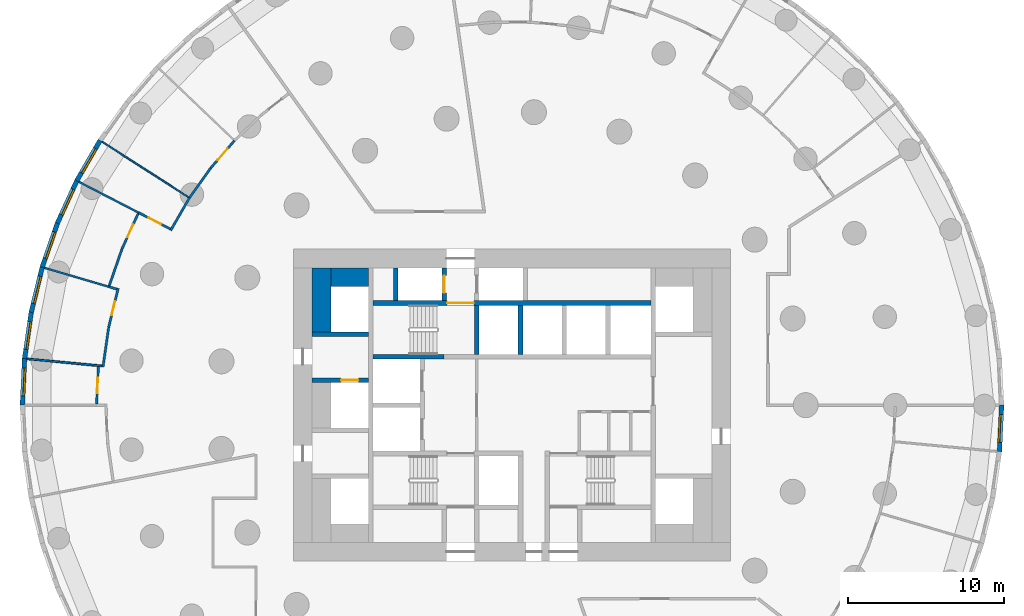
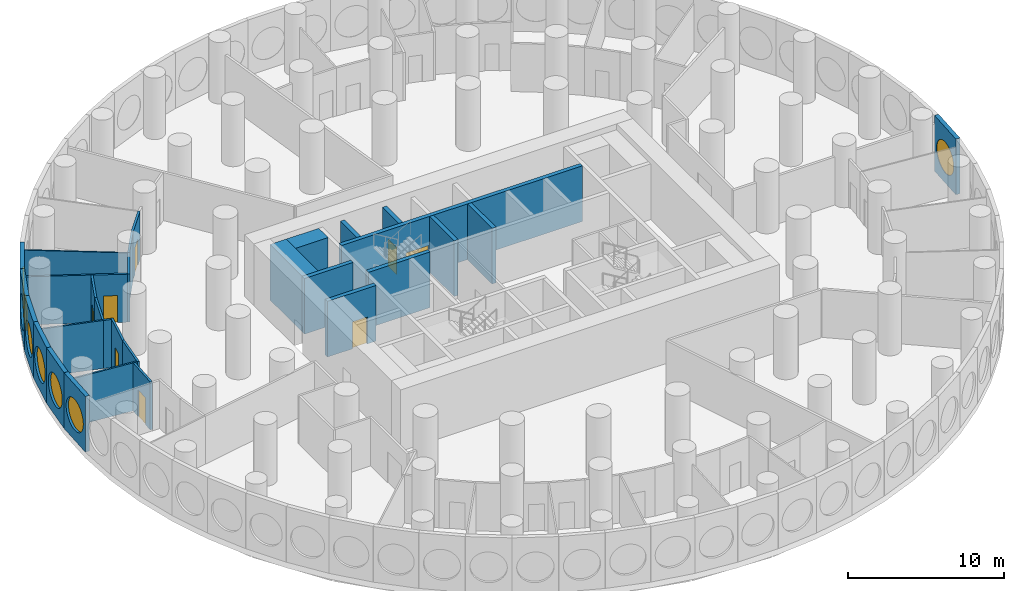
# One storey, part 6 of 11: 31 walls, 8 doors, 7 windows, 15 openings.
"""IFC4 building model written with IfcOpenShell, lengths in metres."""

from ifc_helpers import new_model, si_unit, direction, frame, frame_2d, origin, origin_2d, place, context, subcontext, project, spatial, rectangle, circle, extrude, material, layer, layer_set, type_object, element, fill, save


model = new_model("IFC4")

# Units and contexts
model_context = context("Model", 3, precision=1e-05, world=origin(), true_north=direction((0.0, 1.0)))
body_context = subcontext(model_context, "Body", "Model", "MODEL_VIEW")
ifc_project = project(units=[si_unit("LENGTHUNIT", "METRE"), si_unit("AREAUNIT", "SQUARE_METRE"), si_unit("VOLUMEUNIT", "CUBIC_METRE"), si_unit("PLANEANGLEUNIT", "RADIAN"), si_unit("MASSUNIT", "GRAM", prefix="KILO")], contexts=[model_context])

# Site, building, storey
site_placement = place(None, origin())
site = spatial("IfcSite", under=ifc_project, at=site_placement, CompositionType="ELEMENT")
building_placement = place(site_placement, origin())
building = spatial("IfcBuilding", under=site, at=building_placement, Name="Tracery Tower", CompositionType="ELEMENT")
storey_placement = place(building_placement, frame((0.0, 0.0, 9.0)))
storey = spatial("IfcBuildingStorey", under=building, at=storey_placement, Name="L01", CompositionType="ELEMENT", Elevation=9.0)

# Walls
ifc_material_1 = material(Name="Concrete C60/75", Category="concrete")
ifc_layer_1 = layer(ifc_material_1, 1.199951171875)
ifc_layer_set_1 = layer_set([ifc_layer_1], Name="Core strip wall 1200 C60")
wall_type_1 = type_object("IfcWallType", Name="Core strip wall 1200 C60", PredefinedType="SOLIDWALL", material=ifc_layer_set_1)
wall_1_placement = place(storey_placement, frame((-12.199951171875, 4.699951171875, 0.0), z_axis=(0.0, 0.0, 1.0), x_axis=(0.0, 1.0, 0.0)))
element("IfcWall", 1, at=wall_1_placement, inside=storey, type_object=wall_type_1, Name="L01 wing strip -1 4.55", PredefinedType="SOLIDWALL", context=body_context, shape_type="SweptSolid", body=[
    extrude(rectangle(XDim=4.10009765625, YDim=1.199951171875, at=frame_2d((2.050048828125, 0.0))), origin(), (0.0, 0.0, 1.0), 4.35009765625),
])
wall_2_placement = place(storey_placement, frame((-11.60009765625, 8.199951171875, 0.0), z_axis=(0.0, 0.0, 1.0), x_axis=(1.0, 0.0, 0.0)))
element("IfcWall", 2, at=wall_2_placement, inside=storey, type_object=wall_type_1, Name="L01 wing corner -1 +8.2", PredefinedType="SOLIDWALL", context=body_context, shape_type="SweptSolid", body=[
    extrude(rectangle(XDim=2.400146484375, YDim=1.199951171875, at=frame_2d((1.2001953125, 0.0))), origin(), (0.0, 0.0, 1.0), 4.35009765625),
])

# Wall, opening, door
ifc_material_2 = material(Name="Plasterboard on steel studs", Category="steel")
ifc_layer_2 = layer(ifc_material_2, 0.14990234375)
ifc_layer_set_2 = layer_set([ifc_layer_2], Name="Corridor partition 150")
wall_type_2 = type_object("IfcWallType", Name="Corridor partition 150", PredefinedType="PARTITIONING", material=ifc_layer_set_2)
wall_3_placement = place(storey_placement, frame((-26.615478515625, 0.074951171875, 0.0), z_axis=(0.0, 0.0, 1.0), x_axis=(0.047526384729, 0.998869982908, 0.0)))
wall_3 = element("IfcWall", 3, at=wall_3_placement, inside=storey, type_object=wall_type_2, Name="Corridor partition 150", PredefinedType="PARTITIONING", context=body_context, shape_type="SweptSolid", body=[
    extrude(rectangle(XDim=2.393798828125, YDim=0.14990234375, at=frame_2d((1.19677734375, 0.0))), origin(), (0.0, 0.0, 1.0), 3.75),
])
opening_1_placement = place(wall_3_placement, frame((0.69140625, 0.0, 0.0)))
opening_1 = element("IfcOpeningElement", 4, at=opening_1_placement, cuts=wall_3, Name="Opening SB-L01-15", PredefinedType="OPENING", context=body_context, shape_type="SweptSolid", body=[
    extrude(rectangle(XDim=1.0, YDim=2.10009765625, at=frame_2d((0.5, 1.050048828125))), frame((0.0, 0.074951171875, 0.0), z_axis=(0.0, -1.0, 0.0), x_axis=(1.0, 0.0, 0.0)), (0.0, 0.0, 1.0), 0.14990234375),
])
ifc_material_3 = material(Name="Timber door leaf", Category="wood")
door_type_1 = type_object("IfcDoorType", Name="Accessible toilet door 1000", OperationType="NOTDEFINED", PredefinedType="DOOR", material=ifc_material_3)
door_1_placement = place(opening_1_placement, origin())
door_1 = element("IfcDoor", 5, at=door_1_placement, inside=storey, type_object=door_type_1, Name="Accessible toilet door 1000", OperationType="SINGLE_SWING_RIGHT", OverallHeight=2.10009765625, OverallWidth=1.0, PredefinedType="DOOR", context=body_context, shape_type="SweptSolid", body=[
    extrude(rectangle(XDim=1.0, YDim=2.10009765625, at=frame_2d((0.5, 1.050048828125))), frame((0.0, 0.02490234375, 0.0), z_axis=(0.0, -1.0, 0.0), x_axis=(1.0, 0.0, 0.0)), (0.0, 0.0, 1.0), 0.050048828125),
])
fill(opening_1, door_1)

# Walls
wall_4_placement = place(storey_placement, frame((-25.843017578125, 4.980712890625, 0.0), z_axis=(0.0, 0.0, 1.0), x_axis=(-0.142380000947, -0.989812070714, 0.0)))
element("IfcWall", 6, at=wall_4_placement, inside=storey, type_object=wall_type_2, Name="Corridor partition 150", PredefinedType="PARTITIONING", context=body_context, shape_type="SweptSolid", body=[
    extrude(rectangle(XDim=2.56689453125, YDim=0.14990234375, at=frame_2d((1.283447265625, 0.0))), origin(), (0.0, 0.0, 1.0), 3.75),
])
wall_5_placement = place(storey_placement, frame((-25.8291015625, 7.583984375, 0.0), z_axis=(0.0, 0.0, 1.0), x_axis=(0.959446805351, -0.281889743876, 0.0)))
element("IfcWall", 7, at=wall_5_placement, inside=storey, type_object=wall_type_2, Name="Corridor partition 150", PredefinedType="PARTITIONING", context=body_context, shape_type="SweptSolid", body=[
    extrude(rectangle(XDim=0.525634765625, YDim=0.14990234375, at=frame_2d((0.2626953125, 0.0))), origin(), (0.0, 0.0, 1.0), 3.75),
])

# Wall, opening, door
wall_6_placement = place(storey_placement, frame((-25.843017578125, 4.980712890625, 0.0), z_axis=(0.0, 0.0, 1.0), x_axis=(0.235738160544, 0.97181660804, 0.0)))
wall_6 = element("IfcWall", 8, at=wall_6_placement, inside=storey, type_object=wall_type_2, Name="Corridor partition 150", PredefinedType="PARTITIONING", context=body_context, shape_type="SweptSolid", body=[
    extrude(rectangle(XDim=2.579833984375, YDim=0.14990234375, at=frame_2d((1.2900390625, 0.0))), origin(), (0.0, 0.0, 1.0), 3.75),
])
opening_2_placement = place(wall_6_placement, frame((0.80224609375, 0.0, 0.0)))
opening_2 = element("IfcOpeningElement", 9, at=opening_2_placement, cuts=wall_6, Name="Opening SB-L01-14", PredefinedType="OPENING", context=body_context, shape_type="SweptSolid", body=[
    extrude(rectangle(XDim=0.89990234375, YDim=2.10009765625, at=frame_2d((0.449951171875, 1.050048828125))), frame((0.0, 0.074951171875, 0.0), z_axis=(0.0, -1.0, 0.0), x_axis=(1.0, 0.0, 0.0)), (0.0, 0.0, 1.0), 0.14990234375),
])
ifc_material_4 = material(Name="Timber door leaf", Category="wood")
door_type_2 = type_object("IfcDoorType", Name="Toilet door 900", OperationType="NOTDEFINED", PredefinedType="DOOR", material=ifc_material_4)
door_2_placement = place(opening_2_placement, origin())
door_2 = element("IfcDoor", 10, at=door_2_placement, inside=storey, type_object=door_type_2, Name="Toilet door 900", OperationType="SINGLE_SWING_RIGHT", OverallHeight=2.10009765625, OverallWidth=0.89990234375, PredefinedType="DOOR", context=body_context, shape_type="SweptSolid", body=[
    extrude(rectangle(XDim=0.89990234375, YDim=2.10009765625, at=frame_2d((0.449951171875, 1.050048828125))), frame((0.0, 0.02490234375, 0.0), z_axis=(0.0, -1.0, 0.0), x_axis=(1.0, 0.0, 0.0)), (0.0, 0.0, 1.0), 0.050048828125),
])
fill(opening_2, door_2)

# Wall
wall_7_placement = place(storey_placement, frame((-24.9912109375, 10.0048828125, 0.0), z_axis=(0.0, 0.0, 1.0), x_axis=(-0.327046491478, -0.945008249917, 0.0)))
element("IfcWall", 11, at=wall_7_placement, inside=storey, type_object=wall_type_2, Name="Corridor partition 150", PredefinedType="PARTITIONING", context=body_context, shape_type="SweptSolid", body=[
    extrude(rectangle(XDim=2.486572265625, YDim=0.14990234375, at=frame_2d((1.2431640625, 0.0))), origin(), (0.0, 0.0, 1.0), 3.75),
])

# Wall, opening, door
wall_8_placement = place(storey_placement, frame((-24.9912109375, 10.0048828125, 0.0), z_axis=(0.0, 0.0, 1.0), x_axis=(0.415481321012, 0.90960171058, 0.0)))
wall_8 = element("IfcWall", 12, at=wall_8_placement, inside=storey, type_object=wall_type_2, Name="Corridor partition 150", PredefinedType="PARTITIONING", context=body_context, shape_type="SweptSolid", body=[
    extrude(rectangle(XDim=2.48681640625, YDim=0.14990234375, at=frame_2d((1.243408203125, 0.0))), origin(), (0.0, 0.0, 1.0), 3.75),
])
opening_3_placement = place(wall_8_placement, frame((0.830810546875, 0.0, 0.0)))
opening_3 = element("IfcOpeningElement", 13, at=opening_3_placement, cuts=wall_8, Name="Opening SB-L01-13", PredefinedType="OPENING", context=body_context, shape_type="SweptSolid", body=[
    extrude(rectangle(XDim=0.89990234375, YDim=2.10009765625, at=frame_2d((0.449951171875, 1.050048828125))), frame((0.0, 0.074951171875, 0.0), z_axis=(0.0, -1.0, 0.0), x_axis=(1.0, 0.0, 0.0)), (0.0, 0.0, 1.0), 0.14990234375),
])
door_3_placement = place(opening_3_placement, origin())
door_3 = element("IfcDoor", 14, at=door_3_placement, inside=storey, type_object=door_type_2, Name="Toilet door 900", OperationType="SINGLE_SWING_RIGHT", OverallHeight=2.10009765625, OverallWidth=0.89990234375, PredefinedType="DOOR", context=body_context, shape_type="SweptSolid", body=[
    extrude(rectangle(XDim=0.89990234375, YDim=2.10009765625, at=frame_2d((0.449951171875, 1.050048828125))), frame((0.0, 0.02490234375, 0.0), z_axis=(0.0, -1.0, 0.0), x_axis=(1.0, 0.0, 0.0)), (0.0, 0.0, 1.0), 0.050048828125),
])
fill(opening_3, door_3)

wall_9_placement = place(storey_placement, frame((-23.927001953125, 12.335205078125, 0.0), z_axis=(0.0, 0.0, 1.0), x_axis=(0.888827725997, -0.458241501283, 0.0)))
wall_9 = element("IfcWall", 15, at=wall_9_placement, inside=storey, type_object=wall_type_2, Name="Corridor partition 150", PredefinedType="PARTITIONING", context=body_context, shape_type="SweptSolid", body=[
    extrude(rectangle(XDim=2.277587890625, YDim=0.14990234375, at=frame_2d((1.138671875, 0.0))), origin(), (0.0, 0.0, 1.0), 3.75),
])
opening_4_placement = place(wall_9_placement, frame((0.726318359375, 0.0, 0.0)))
opening_4 = element("IfcOpeningElement", 16, at=opening_4_placement, cuts=wall_9, Name="Opening SB-L01-12", PredefinedType="OPENING", context=body_context, shape_type="SweptSolid", body=[
    extrude(rectangle(XDim=0.89990234375, YDim=2.10009765625, at=frame_2d((0.449951171875, 1.050048828125))), frame((0.0, 0.074951171875, 0.0), z_axis=(0.0, -1.0, 0.0), x_axis=(1.0, 0.0, 0.0)), (0.0, 0.0, 1.0), 0.14990234375),
])
ifc_material_5 = material(Name="Timber door leaf", Category="wood")
door_type_3 = type_object("IfcDoorType", Name="Room door 900", OperationType="NOTDEFINED", PredefinedType="DOOR", material=ifc_material_5)
door_4_placement = place(opening_4_placement, origin())
door_4 = element("IfcDoor", 17, at=door_4_placement, inside=storey, type_object=door_type_3, Name="Room door 900", OperationType="SINGLE_SWING_LEFT", OverallHeight=2.10009765625, OverallWidth=0.89990234375, PredefinedType="DOOR", context=body_context, shape_type="SweptSolid", body=[
    extrude(rectangle(XDim=0.89990234375, YDim=2.10009765625, at=frame_2d((0.449951171875, 1.050048828125))), frame((0.0, 0.02490234375, 0.0), z_axis=(0.0, -1.0, 0.0), x_axis=(1.0, 0.0, 0.0)), (0.0, 0.0, 1.0), 0.050048828125),
])
fill(opening_4, door_4)

# Walls
wall_10_placement = place(storey_placement, frame((-20.666748046875, 13.28173828125, 0.0), z_axis=(0.0, 0.0, 1.0), x_axis=(-0.50003483453, -0.866005291125, 0.0)))
element("IfcWall", 18, at=wall_10_placement, inside=storey, type_object=wall_type_2, Name="Corridor partition 150", PredefinedType="PARTITIONING", context=body_context, shape_type="SweptSolid", body=[
    extrude(rectangle(XDim=2.412841796875, YDim=0.14990234375, at=frame_2d((1.20654296875, 0.0))), origin(), (0.0, 0.0, 1.0), 3.75),
])
wall_11_placement = place(storey_placement, frame((-19.310791015625, 15.18603515625, 0.0), z_axis=(0.0, 0.0, 1.0), x_axis=(-0.580032319147, -0.814593462252, 0.0)))
element("IfcWall", 19, at=wall_11_placement, inside=storey, type_object=wall_type_2, Name="Corridor partition 150", PredefinedType="PARTITIONING", context=body_context, shape_type="SweptSolid", body=[
    extrude(rectangle(XDim=2.337646484375, YDim=0.14990234375, at=frame_2d((1.1689453125, 0.0))), origin(), (0.0, 0.0, 1.0), 3.75),
])

# Wall, opening, door
wall_12_placement = place(storey_placement, frame((-19.310791015625, 15.18603515625, 0.0), z_axis=(0.0, 0.0, 1.0), x_axis=(0.654866925236, 0.755744209526, 0.0)))
wall_12 = element("IfcWall", 20, at=wall_12_placement, inside=storey, type_object=wall_type_2, Name="Corridor partition 150", PredefinedType="PARTITIONING", context=body_context, shape_type="SweptSolid", body=[
    extrude(rectangle(XDim=2.337890625, YDim=0.14990234375, at=frame_2d((1.1689453125, 0.0))), origin(), (0.0, 0.0, 1.0), 3.75),
])
opening_5_placement = place(wall_12_placement, frame((0.6689453125, 0.0, 0.0)))
opening_5 = element("IfcOpeningElement", 21, at=opening_5_placement, cuts=wall_12, Name="Opening SB-L01-11", PredefinedType="OPENING", context=body_context, shape_type="SweptSolid", body=[
    extrude(rectangle(XDim=1.0, YDim=2.10009765625, at=frame_2d((0.5, 1.050048828125))), frame((0.0, 0.074951171875, 0.0), z_axis=(0.0, -1.0, 0.0), x_axis=(1.0, 0.0, 0.0)), (0.0, 0.0, 1.0), 0.14990234375),
])
ifc_material_6 = material(Name="Timber door leaf", Category="wood")
door_type_4 = type_object("IfcDoorType", Name="Public room door 1000", OperationType="NOTDEFINED", PredefinedType="DOOR", material=ifc_material_6)
door_5_placement = place(opening_5_placement, origin())
door_5 = element("IfcDoor", 22, at=door_5_placement, inside=storey, type_object=door_type_4, Name="Public room door 1000", OperationType="SINGLE_SWING_RIGHT", OverallHeight=2.10009765625, OverallWidth=1.0, PredefinedType="DOOR", context=body_context, shape_type="SweptSolid", body=[
    extrude(rectangle(XDim=1.0, YDim=2.10009765625, at=frame_2d((0.5, 1.050048828125))), frame((0.0, 0.02490234375, 0.0), z_axis=(0.0, -1.0, 0.0), x_axis=(1.0, 0.0, 0.0)), (0.0, 0.0, 1.0), 0.050048828125),
])
fill(opening_5, door_5)

# Wall, opening, window
ifc_material_7 = material(Name="Precast concrete C50/60", Category="concrete")
ifc_layer_3 = layer(ifc_material_7, 0.300048828125)
ifc_layer_set_3 = layer_set([ifc_layer_3], Name="Facade panel 3000 x 4350")
wall_type_3 = type_object("IfcWallType", Name="Facade panel 3000 x 4350", PredefinedType="SOLIDWALL", material=ifc_layer_set_3)
wall_13_placement = place(storey_placement, frame((-26.393798828125, 16.96240234375, 0.0), z_axis=(0.0, 0.0, 1.0), x_axis=(-0.500017373705, -0.866015372839, 0.0)))
wall_13 = element("IfcWall", 23, at=wall_13_placement, inside=storey, type_object=wall_type_3, Name="Facade panel 28 at L01", PredefinedType="SOLIDWALL", context=body_context, shape_type="SweptSolid", body=[
    extrude(rectangle(XDim=2.98583984375, YDim=0.300048828125, at=frame_2d((1.492919921875, 0.0))), origin(), (0.0, 0.0, 1.0), 4.35009765625),
])
opening_6_placement = place(wall_13_placement, frame((1.492919921875, 0.0, 2.0)))
opening_6 = element("IfcOpeningElement", 24, at=opening_6_placement, cuts=wall_13, Name="Opening WN2", PredefinedType="OPENING", context=body_context, shape_type="SweptSolid", body=[
    extrude(circle(Radius=1.199951171875, at=origin_2d()), frame((0.0, 0.159912109375, 0.0), z_axis=(0.0, -1.0, 0.0), x_axis=(1.0, 0.0, 0.0)), (0.0, 0.0, 1.0), 0.320068359375),
])
ifc_material_8 = material(Name="Aluminium frame with tinted double glazing", Category="aluminium")
window_type = type_object("IfcWindowType", Name="Round window 2400", PartitioningType="SINGLE_PANEL", PredefinedType="WINDOW", material=ifc_material_8)
window_1_placement = place(opening_6_placement, origin())
window_1 = element("IfcWindow", 25, at=window_1_placement, inside=storey, type_object=window_type, Name="Round window 28 at L01", OverallHeight=2.39990234375, OverallWidth=2.39990234375, PartitioningType="SINGLE_PANEL", PredefinedType="WINDOW", context=body_context, shape_type="SweptSolid", body=[
    extrude(circle(Radius=1.199951171875, at=origin_2d()), frame((0.0, 0.1201171875, 0.0), z_axis=(0.0, -1.0, 0.0), x_axis=(1.0, 0.0, 0.0)), (0.0, 0.0, 1.0), 0.10009765625),
])
fill(opening_6, window_1)

wall_14_placement = place(storey_placement, frame((-27.88671875, 14.376708984375, 0.0), z_axis=(0.0, 0.0, 1.0), x_axis=(-0.415373250944, -0.909651066289, 0.0)))
wall_14 = element("IfcWall", 26, at=wall_14_placement, inside=storey, type_object=wall_type_3, Name="Facade panel 29 at L01", PredefinedType="SOLIDWALL", context=body_context, shape_type="SweptSolid", body=[
    extrude(rectangle(XDim=2.98583984375, YDim=0.300048828125, at=frame_2d((1.492919921875, 0.0))), origin(), (0.0, 0.0, 1.0), 4.35009765625),
])
opening_7_placement = place(wall_14_placement, frame((1.492919921875, 0.0, 2.0)))
opening_7 = element("IfcOpeningElement", 27, at=opening_7_placement, cuts=wall_14, Name="Opening WN2", PredefinedType="OPENING", context=body_context, shape_type="SweptSolid", body=[
    extrude(circle(Radius=1.199951171875, at=origin_2d()), frame((0.0, 0.159912109375, 0.0), z_axis=(0.0, -1.0, 0.0), x_axis=(1.0, 0.0, 0.0)), (0.0, 0.0, 1.0), 0.320068359375),
])
window_2_placement = place(opening_7_placement, origin())
window_2 = element("IfcWindow", 28, at=window_2_placement, inside=storey, type_object=window_type, Name="Round window 29 at L01", OverallHeight=2.39990234375, OverallWidth=2.39990234375, PartitioningType="SINGLE_PANEL", PredefinedType="WINDOW", context=body_context, shape_type="SweptSolid", body=[
    extrude(circle(Radius=1.199951171875, at=origin_2d()), frame((0.0, 0.1201171875, 0.0), z_axis=(0.0, -1.0, 0.0), x_axis=(1.0, 0.0, 0.0)), (0.0, 0.0, 1.0), 0.10009765625),
])
fill(opening_7, window_2)

wall_15_placement = place(storey_placement, frame((-29.126953125, 11.66064453125, 0.0), z_axis=(0.0, 0.0, 1.0), x_axis=(-0.327074054052, -0.944998710669, 0.0)))
wall_15 = element("IfcWall", 29, at=wall_15_placement, inside=storey, type_object=wall_type_3, Name="Facade panel 30 at L01", PredefinedType="SOLIDWALL", context=body_context, shape_type="SweptSolid", body=[
    extrude(rectangle(XDim=2.98583984375, YDim=0.300048828125, at=frame_2d((1.492919921875, 0.0))), origin(), (0.0, 0.0, 1.0), 4.35009765625),
])
opening_8_placement = place(wall_15_placement, frame((1.492919921875, 0.0, 2.0)))
opening_8 = element("IfcOpeningElement", 30, at=opening_8_placement, cuts=wall_15, Name="Opening WN2", PredefinedType="OPENING", context=body_context, shape_type="SweptSolid", body=[
    extrude(circle(Radius=1.199951171875, at=origin_2d()), frame((0.0, 0.159912109375, 0.0), z_axis=(0.0, -1.0, 0.0), x_axis=(1.0, 0.0, 0.0)), (0.0, 0.0, 1.0), 0.320068359375),
])
window_3_placement = place(opening_8_placement, origin())
window_3 = element("IfcWindow", 31, at=window_3_placement, inside=storey, type_object=window_type, Name="Round window 30 at L01", OverallHeight=2.39990234375, OverallWidth=2.39990234375, PartitioningType="SINGLE_PANEL", PredefinedType="WINDOW", context=body_context, shape_type="SweptSolid", body=[
    extrude(circle(Radius=1.199951171875, at=origin_2d()), frame((0.0, 0.1201171875, 0.0), z_axis=(0.0, -1.0, 0.0), x_axis=(1.0, 0.0, 0.0)), (0.0, 0.0, 1.0), 0.10009765625),
])
fill(opening_8, window_3)

wall_16_placement = place(storey_placement, frame((-30.103515625, 8.839111328125, 0.0), z_axis=(0.0, 0.0, 1.0), x_axis=(-0.235756834479, -0.971812078026, 0.0)))
wall_16 = element("IfcWall", 32, at=wall_16_placement, inside=storey, type_object=wall_type_3, Name="Facade panel 31 at L01", PredefinedType="SOLIDWALL", context=body_context, shape_type="SweptSolid", body=[
    extrude(rectangle(XDim=2.985595703125, YDim=0.300048828125, at=frame_2d((1.49267578125, 0.0))), origin(), (0.0, 0.0, 1.0), 4.35009765625),
])
opening_9_placement = place(wall_16_placement, frame((1.492919921875, 0.0, 2.0)))
opening_9 = element("IfcOpeningElement", 33, at=opening_9_placement, cuts=wall_16, Name="Opening WN2", PredefinedType="OPENING", context=body_context, shape_type="SweptSolid", body=[
    extrude(circle(Radius=1.199951171875, at=origin_2d()), frame((0.0, 0.159912109375, 0.0), z_axis=(0.0, -1.0, 0.0), x_axis=(1.0, 0.0, 0.0)), (0.0, 0.0, 1.0), 0.320068359375),
])
window_4_placement = place(opening_9_placement, origin())
window_4 = element("IfcWindow", 34, at=window_4_placement, inside=storey, type_object=window_type, Name="Round window 31 at L01", OverallHeight=2.39990234375, OverallWidth=2.39990234375, PartitioningType="SINGLE_PANEL", PredefinedType="WINDOW", context=body_context, shape_type="SweptSolid", body=[
    extrude(circle(Radius=1.199951171875, at=origin_2d()), frame((0.0, 0.1201171875, 0.0), z_axis=(0.0, -1.0, 0.0), x_axis=(1.0, 0.0, 0.0)), (0.0, 0.0, 1.0), 0.10009765625),
])
fill(opening_9, window_4)

wall_17_placement = place(storey_placement, frame((-30.807373046875, 5.937744140625, 0.0), z_axis=(0.0, 0.0, 1.0), x_axis=(-0.142360001917, -0.989814947278, 0.0)))
wall_17 = element("IfcWall", 35, at=wall_17_placement, inside=storey, type_object=wall_type_3, Name="Facade panel 32 at L01", PredefinedType="SOLIDWALL", context=body_context, shape_type="SweptSolid", body=[
    extrude(rectangle(XDim=2.98583984375, YDim=0.300048828125, at=frame_2d((1.492919921875, 0.0))), origin(), (0.0, 0.0, 1.0), 4.35009765625),
])
opening_10_placement = place(wall_17_placement, frame((1.492919921875, 0.0, 2.0)))
opening_10 = element("IfcOpeningElement", 36, at=opening_10_placement, cuts=wall_17, Name="Opening WN2", PredefinedType="OPENING", context=body_context, shape_type="SweptSolid", body=[
    extrude(circle(Radius=1.199951171875, at=origin_2d()), frame((0.0, 0.159912109375, 0.0), z_axis=(0.0, -1.0, 0.0), x_axis=(1.0, 0.0, 0.0)), (0.0, 0.0, 1.0), 0.320068359375),
])
window_5_placement = place(opening_10_placement, origin())
window_5 = element("IfcWindow", 37, at=window_5_placement, inside=storey, type_object=window_type, Name="Round window 32 at L01", OverallHeight=2.39990234375, OverallWidth=2.39990234375, PartitioningType="SINGLE_PANEL", PredefinedType="WINDOW", context=body_context, shape_type="SweptSolid", body=[
    extrude(circle(Radius=1.199951171875, at=origin_2d()), frame((0.0, 0.1201171875, 0.0), z_axis=(0.0, -1.0, 0.0), x_axis=(1.0, 0.0, 0.0)), (0.0, 0.0, 1.0), 0.10009765625),
])
fill(opening_10, window_5)

wall_18_placement = place(storey_placement, frame((-31.232421875, 2.982421875, 0.0), z_axis=(0.0, 0.0, 1.0), x_axis=(-0.047588458579, -0.998867027492, 0.0)))
wall_18 = element("IfcWall", 38, at=wall_18_placement, inside=storey, type_object=wall_type_3, Name="Facade panel 33 at L01", PredefinedType="SOLIDWALL", context=body_context, shape_type="SweptSolid", body=[
    extrude(rectangle(XDim=2.98583984375, YDim=0.300048828125, at=frame_2d((1.492919921875, 0.0))), origin(), (0.0, 0.0, 1.0), 4.35009765625),
])
opening_11_placement = place(wall_18_placement, frame((1.492919921875, 0.0, 2.0)))
opening_11 = element("IfcOpeningElement", 39, at=opening_11_placement, cuts=wall_18, Name="Opening WN2", PredefinedType="OPENING", context=body_context, shape_type="SweptSolid", body=[
    extrude(circle(Radius=1.199951171875, at=origin_2d()), frame((0.0, 0.159912109375, 0.0), z_axis=(0.0, -1.0, 0.0), x_axis=(1.0, 0.0, 0.0)), (0.0, 0.0, 1.0), 0.320068359375),
])
window_6_placement = place(opening_11_placement, origin())
window_6 = element("IfcWindow", 40, at=window_6_placement, inside=storey, type_object=window_type, Name="Round window 33 at L01", OverallHeight=2.39990234375, OverallWidth=2.39990234375, PartitioningType="SINGLE_PANEL", PredefinedType="WINDOW", context=body_context, shape_type="SweptSolid", body=[
    extrude(circle(Radius=1.199951171875, at=origin_2d()), frame((0.0, 0.1201171875, 0.0), z_axis=(0.0, -1.0, 0.0), x_axis=(1.0, 0.0, 0.0)), (0.0, 0.0, 1.0), 0.10009765625),
])
fill(opening_11, window_6)

wall_19_placement = place(storey_placement, frame((31.232421875, -2.982421875, 0.0), z_axis=(0.0, 0.0, 1.0), x_axis=(0.047588458579, 0.998867027492, 0.0)))
wall_19 = element("IfcWall", 41, at=wall_19_placement, inside=storey, type_object=wall_type_3, Name="Facade panel 66 at L01", PredefinedType="SOLIDWALL", context=body_context, shape_type="SweptSolid", body=[
    extrude(rectangle(XDim=2.98583984375, YDim=0.300048828125, at=frame_2d((1.492919921875, 0.0))), origin(), (0.0, 0.0, 1.0), 4.35009765625),
])
opening_12_placement = place(wall_19_placement, frame((1.492919921875, 0.0, 2.0)))
opening_12 = element("IfcOpeningElement", 42, at=opening_12_placement, cuts=wall_19, Name="Opening WN2", PredefinedType="OPENING", context=body_context, shape_type="SweptSolid", body=[
    extrude(circle(Radius=1.199951171875, at=origin_2d()), frame((0.0, 0.159912109375, 0.0), z_axis=(0.0, -1.0, 0.0), x_axis=(1.0, 0.0, 0.0)), (0.0, 0.0, 1.0), 0.320068359375),
])
window_7_placement = place(opening_12_placement, origin())
window_7 = element("IfcWindow", 43, at=window_7_placement, inside=storey, type_object=window_type, Name="Round window 66 at L01", OverallHeight=2.39990234375, OverallWidth=2.39990234375, PartitioningType="SINGLE_PANEL", PredefinedType="WINDOW", context=body_context, shape_type="SweptSolid", body=[
    extrude(circle(Radius=1.199951171875, at=origin_2d()), frame((0.0, 0.1201171875, 0.0), z_axis=(0.0, -1.0, 0.0), x_axis=(1.0, 0.0, 0.0)), (0.0, 0.0, 1.0), 0.10009765625),
])
fill(opening_12, window_7)

# Walls
ifc_material_9 = material(Name="Concrete C60/75", Category="concrete")
ifc_layer_4 = layer(ifc_material_9, 0.300048828125)
ifc_layer_set_4 = layer_set([ifc_layer_4], Name="Shaft wall 300 C60")
wall_type_4 = type_object("IfcWallType", Name="Shaft wall 300 C60", PredefinedType="SOLIDWALL", material=ifc_layer_set_4)
wall_20_placement = place(storey_placement, frame((0.550048828125, 3.25, 0.0), z_axis=(0.0, 0.0, 1.0), x_axis=(0.0, 1.0, 0.0)))
element("IfcWall", 44, at=wall_20_placement, inside=storey, type_object=wall_type_4, Name="L01 HR sep 1", PredefinedType="SOLIDWALL", context=body_context, shape_type="SweptSolid", body=[
    extrude(rectangle(XDim=3.14990234375, YDim=0.300048828125, at=frame_2d((1.574951171875, 0.0))), origin(), (0.0, 0.0, 1.0), 4.35009765625),
])
wall_21_placement = place(storey_placement, frame((-7.449951171875, 6.699951171875, 0.0), z_axis=(0.0, 0.0, 1.0), x_axis=(0.0, 1.0, 0.0)))
element("IfcWall", 45, at=wall_21_placement, inside=storey, type_object=wall_type_4, Name="L01 LR sep -7.45", PredefinedType="SOLIDWALL", context=body_context, shape_type="SweptSolid", body=[
    extrude(rectangle(XDim=2.10009765625, YDim=0.300048828125, at=frame_2d((1.050048828125, 0.0))), origin(), (0.0, 0.0, 1.0), 4.35009765625),
])

# Wall, opening, door
wall_22_placement = place(storey_placement, frame((-4.35009765625, 6.699951171875, 0.0), z_axis=(0.0, 0.0, 1.0), x_axis=(0.0, 1.0, 0.0)))
wall_22 = element("IfcWall", 46, at=wall_22_placement, inside=storey, type_object=wall_type_4, Name="L01 LR sep -4.35", PredefinedType="SOLIDWALL", context=body_context, shape_type="SweptSolid", body=[
    extrude(rectangle(XDim=2.10009765625, YDim=0.300048828125, at=frame_2d((1.050048828125, 0.0))), origin(), (0.0, 0.0, 1.0), 4.35009765625),
])
opening_13_placement = place(wall_22_placement, frame((0.5, 0.0, 0.0)))
opening_13 = element("IfcOpeningElement", 47, at=opening_13_placement, cuts=wall_22, Name="Opening KD50", PredefinedType="OPENING", context=body_context, shape_type="SweptSolid", body=[
    extrude(rectangle(XDim=1.10009765625, YDim=2.10009765625, at=frame_2d((0.550048828125, 1.050048828125))), frame((0.0, 0.14990234375, 0.0), z_axis=(0.0, -1.0, 0.0), x_axis=(1.0, 0.0, 0.0)), (0.0, 0.0, 1.0), 0.300048828125),
])
ifc_material_10 = material(Name="Steel fire door", Category="steel")
door_type_5 = type_object("IfcDoorType", Name="Landing door 1100", OperationType="NOTDEFINED", PredefinedType="DOOR", material=ifc_material_10)
door_6_placement = place(opening_13_placement, origin())
door_6 = element("IfcDoor", 48, at=door_6_placement, inside=storey, type_object=door_type_5, Name="Landing door LR3", OperationType="SLIDING_TO_RIGHT", OverallHeight=2.10009765625, OverallWidth=1.10009765625, PredefinedType="DOOR", context=body_context, shape_type="SweptSolid", body=[
    extrude(rectangle(XDim=1.10009765625, YDim=2.10009765625, at=frame_2d((0.550048828125, 1.050048828125))), frame((0.0, 0.02490234375, 0.0), z_axis=(0.0, -1.0, 0.0), x_axis=(1.0, 0.0, 0.0)), (0.0, 0.0, 1.0), 0.050048828125),
])
fill(opening_13, door_6)

# Wall
wall_23_placement = place(storey_placement, frame((-12.800048828125, 4.550048828125, 0.0), z_axis=(0.0, 0.0, 1.0), x_axis=(1.0, 0.0, 0.0)))
element("IfcWall", 49, at=wall_23_placement, inside=storey, type_object=wall_type_4, Name="L01 wing shaft wall -1 +4.55", PredefinedType="SOLIDWALL", context=body_context, shape_type="SweptSolid", body=[
    extrude(rectangle(XDim=3.60009765625, YDim=0.300048828125, at=frame_2d((1.800048828125, 0.0))), origin(), (0.0, 0.0, 1.0), 4.35009765625),
])

# Wall, opening, door
wall_24_placement = place(storey_placement, frame((-12.800048828125, 1.60009765625, 0.0), z_axis=(0.0, 0.0, 1.0), x_axis=(1.0, 0.0, 0.0)))
wall_24 = element("IfcWall", 50, at=wall_24_placement, inside=storey, type_object=wall_type_4, Name="L01 wing shaft wall -1 +1.60", PredefinedType="SOLIDWALL", context=body_context, shape_type="SweptSolid", body=[
    extrude(rectangle(XDim=3.60009765625, YDim=0.300048828125, at=frame_2d((1.800048828125, 0.0))), origin(), (0.0, 0.0, 1.0), 4.35009765625),
])
opening_14_placement = place(wall_24_placement, frame((1.85009765625, 0.0, 0.0)))
opening_14 = element("IfcOpeningElement", 51, at=opening_14_placement, cuts=wall_24, Name="Opening KD50", PredefinedType="OPENING", context=body_context, shape_type="SweptSolid", body=[
    extrude(rectangle(XDim=1.10009765625, YDim=2.10009765625, at=frame_2d((0.550048828125, 1.050048828125))), frame((0.0, 0.14990234375, 0.0), z_axis=(0.0, -1.0, 0.0), x_axis=(1.0, 0.0, 0.0)), (0.0, 0.0, 1.0), 0.300048828125),
])
door_7_placement = place(opening_14_placement, origin())
door_7 = element("IfcDoor", 52, at=door_7_placement, inside=storey, type_object=door_type_5, Name="Landing door LR1", OperationType="SLIDING_TO_RIGHT", OverallHeight=2.10009765625, OverallWidth=1.10009765625, PredefinedType="DOOR", context=body_context, shape_type="SweptSolid", body=[
    extrude(rectangle(XDim=1.10009765625, YDim=2.10009765625, at=frame_2d((0.550048828125, 1.050048828125))), frame((0.0, 0.02490234375, 0.0), z_axis=(0.0, -1.0, 0.0), x_axis=(1.0, 0.0, 0.0)), (0.0, 0.0, 1.0), 0.050048828125),
])
fill(opening_14, door_7)

# Walls
ifc_material_11 = material(Name="Concrete C60/75", Category="concrete")
ifc_layer_5 = layer(ifc_material_11, 0.300048828125)
ifc_layer_set_5 = layer_set([ifc_layer_5], Name="Stair wall 300 C60")
wall_type_5 = type_object("IfcWallType", Name="Stair wall 300 C60", PredefinedType="SOLIDWALL", material=ifc_layer_set_5)
wall_25_placement = place(storey_placement, frame((-8.89990234375, 3.10009765625, 0.0), z_axis=(0.0, 0.0, 1.0), x_axis=(1.0, 0.0, 0.0)))
element("IfcWall", 53, at=wall_25_placement, inside=storey, type_object=wall_type_5, Name="L01 row N W", PredefinedType="SOLIDWALL", context=body_context, shape_type="SweptSolid", body=[
    extrude(rectangle(XDim=4.5498046875, YDim=0.300048828125, at=frame_2d((2.27490234375, 0.0))), origin(), (0.0, 0.0, 1.0), 4.35009765625),
])
wall_26_placement = place(storey_placement, frame((-2.25, 3.25, 0.0), z_axis=(0.0, 0.0, 1.0), x_axis=(0.0, 1.0, 0.0)))
element("IfcWall", 54, at=wall_26_placement, inside=storey, type_object=wall_type_5, Name="L01 ST3 E", PredefinedType="SOLIDWALL", context=body_context, shape_type="SweptSolid", body=[
    extrude(rectangle(XDim=3.14990234375, YDim=0.300048828125, at=frame_2d((1.574951171875, 0.0))), origin(), (0.0, 0.0, 1.0), 4.35009765625),
])

# Wall, opening, door
wall_27_placement = place(storey_placement, frame((-8.89990234375, 6.550048828125, 0.0), z_axis=(0.0, 0.0, 1.0), x_axis=(1.0, 0.0, 0.0)))
wall_27 = element("IfcWall", 55, at=wall_27_placement, inside=storey, type_object=wall_type_5, Name="L01 F N", PredefinedType="SOLIDWALL", context=body_context, shape_type="SweptSolid", body=[
    extrude(rectangle(XDim=17.7998046875, YDim=0.300048828125, at=frame_2d((8.89990234375, 0.0))), origin(), (0.0, 0.0, 1.0), 4.35009765625),
])
opening_15_placement = place(wall_27_placement, frame((4.75, 0.0, 0.0)))
opening_15 = element("IfcOpeningElement", 56, at=opening_15_placement, cuts=wall_27, Name="Opening KD3", PredefinedType="OPENING", context=body_context, shape_type="SweptSolid", body=[
    extrude(rectangle(XDim=1.699951171875, YDim=2.10009765625, at=frame_2d((0.85009765625, 1.050048828125))), frame((0.0, 0.14990234375, 0.0), z_axis=(0.0, -1.0, 0.0), x_axis=(1.0, 0.0, 0.0)), (0.0, 0.0, 1.0), 0.300048828125),
])
ifc_material_12 = material(Name="Steel fire door", Category="steel")
door_type_6 = type_object("IfcDoorType", Name="Core stair door 1700 double", OperationType="NOTDEFINED", PredefinedType="DOOR", material=ifc_material_12)
door_8_placement = place(opening_15_placement, origin())
door_8 = element("IfcDoor", 57, at=door_8_placement, inside=storey, type_object=door_type_6, Name="Stair door ST3 N", OperationType="DOUBLE_DOOR_SINGLE_SWING", OverallHeight=2.10009765625, OverallWidth=1.699951171875, PredefinedType="DOOR", context=body_context, shape_type="SweptSolid", body=[
    extrude(rectangle(XDim=1.699951171875, YDim=2.10009765625, at=frame_2d((0.85009765625, 1.050048828125))), frame((0.0, 0.02490234375, 0.0), z_axis=(0.0, -1.0, 0.0), x_axis=(1.0, 0.0, 0.0)), (0.0, 0.0, 1.0), 0.050048828125),
])
fill(opening_15, door_8)

# Walls
ifc_material_13 = material(Name="Plasterboard on steel studs", Category="steel")
ifc_layer_6 = layer(ifc_material_13, 0.10009765625)
ifc_layer_set_6 = layer_set([ifc_layer_6], Name="Stud partition 100")
wall_type_6 = type_object("IfcWallType", Name="Stud partition 100", PredefinedType="PARTITIONING", material=ifc_layer_set_6)
wall_28_placement = place(storey_placement, frame((-26.267578125, 16.881103515625, 0.0), z_axis=(0.0, 0.0, 1.0), x_axis=(0.841267639797, -0.540618865959, 0.0)))
element("IfcWall", 58, at=wall_28_placement, inside=storey, type_object=wall_type_6, Name="Stud partition 100", PredefinedType="PARTITIONING", context=body_context, shape_type="SweptSolid", body=[
    extrude(rectangle(XDim=6.58251953125, YDim=0.10009765625, at=frame_2d((3.291259765625, 0.0))), origin(), (0.0, 0.0, 1.0), 3.75),
])
ifc_material_14 = material(Name="Plasterboard on steel studs", Category="steel")
ifc_layer_7 = layer(ifc_material_14, 0.125)
ifc_layer_set_7 = layer_set([ifc_layer_7], Name="Wet area partition 125")
wall_type_7 = type_object("IfcWallType", Name="Wet area partition 125", PredefinedType="PARTITIONING", material=ifc_layer_set_7)
wall_29_placement = place(storey_placement, frame((-31.0830078125, 2.968017578125, 0.0), z_axis=(0.0, 0.0, 1.0), x_axis=(0.995471135627, -0.095064284212, 0.0)))
element("IfcWall", 59, at=wall_29_placement, inside=storey, type_object=wall_type_7, Name="Wet area partition 125", PredefinedType="PARTITIONING", context=body_context, shape_type="SweptSolid", body=[
    extrude(rectangle(XDim=4.830810546875, YDim=0.125, at=frame_2d((2.41552734375, 0.0))), origin(), (0.0, 0.0, 1.0), 3.75),
])
for number, where, z_axis, x_axis, name in (
    (60, (-29.95947265625, 8.796875, 0.0), (0.0, 0.0, 1.0), (0.959486427162, -0.281754851054, 0.0), "Wet area partition 125"),
    (61, (-27.753173828125, 14.307861328125, 0.0), (0.0, 0.0, 1.0), (0.888823380171, -0.458249930563, 0.0), "Wet area partition 125"),
):
    element("IfcWall", number, at=place(storey_placement, frame(where, z_axis=z_axis, x_axis=x_axis)), inside=storey, type_object=wall_type_7, Name=name, PredefinedType="PARTITIONING", context=body_context, shape_type="SweptSolid", body=[
        extrude(rectangle(XDim=4.3046875, YDim=0.125, at=frame_2d((2.15234375, 0.0))), origin(), (0.0, 0.0, 1.0), 3.75),
    ])

save(model, "model.ifc")
